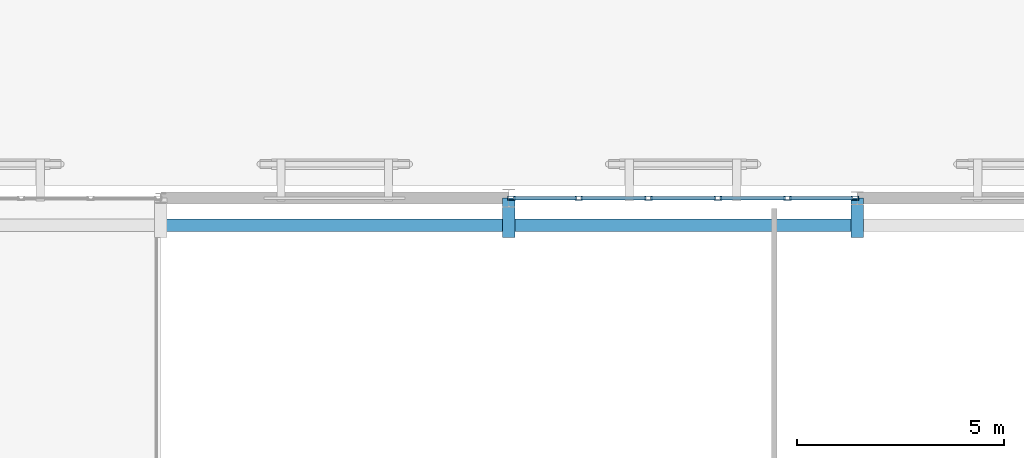
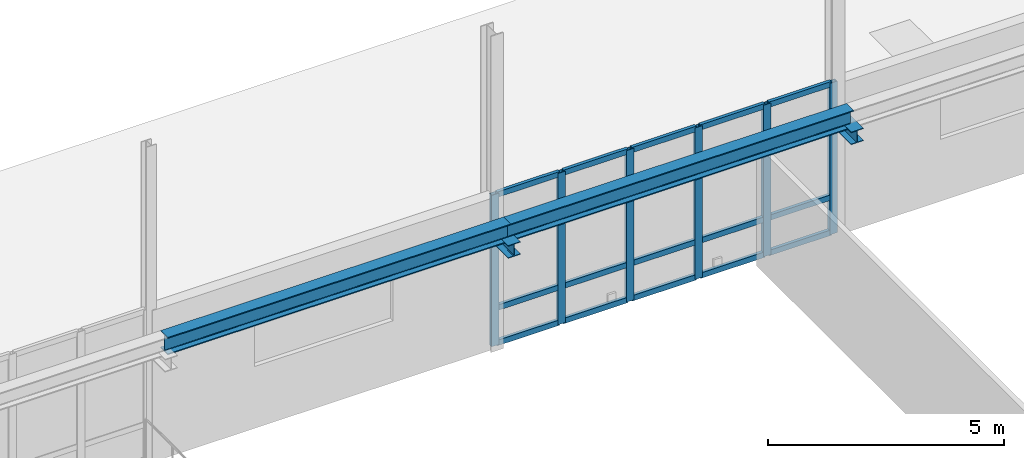
# One storey, part 83 of 170: 21 members, 4 beams, 1 element without a shape of its own.
"""IFC4 building model written with IfcOpenShell, lengths in metres."""

from ifc_helpers import new_model, si_unit, direction, frame, origin, origin_2d, place, context, subcontext, project, spatial, hollow_rectangle, i_section, extrude, material, layer, layer_set, material_profile, profile_set, type_object, element, aggregate, save


model = new_model("IFC4")

# Units and contexts
model_context = context("Model", 3, precision=1e-05, world=origin(), true_north=direction((0.0, 1.0)))
body_context = subcontext(model_context, "Body", "Model", "MODEL_VIEW")
ifc_project = project(units=[si_unit("LENGTHUNIT", "METRE"), si_unit("AREAUNIT", "SQUARE_METRE"), si_unit("VOLUMEUNIT", "CUBIC_METRE"), si_unit("PLANEANGLEUNIT", "RADIAN"), si_unit("MASSUNIT", "GRAM", prefix="KILO")], contexts=[model_context])

# Site, building, storey
site_placement = place(None, origin())
site = spatial("IfcSite", under=ifc_project, at=site_placement, CompositionType="ELEMENT")
building_placement = place(site_placement, origin())
building = spatial("IfcBuilding", under=site, at=building_placement, Name="Mazaris Harbour Polytechnic", CompositionType="ELEMENT")
storey_placement = place(building_placement, frame((0.0, 0.0, 5.39990234375)))
storey = spatial("IfcBuildingStorey", under=building, at=storey_placement, Name="L01", CompositionType="ELEMENT", Elevation=5.39990234375)

# Beams
ifc_material_1 = material(Name="Steel S355", Category="steel")
ifc_material_profile_1 = material_profile(ifc_material_1, i_section(OverallWidth=0.300048828125, OverallDepth=0.449951171875, WebThickness=0.013916015625, FlangeThickness=0.02587890625, FilletRadius=0.027099609375, at=origin_2d()), Name="HEB 450")
ifc_profile_set_1 = profile_set([ifc_material_profile_1], Name="Steel S355")
beam_type_1 = type_object("IfcBeamType", Name="Crane Runway HEB450", PredefinedType="USERDEFINED", material=ifc_profile_set_1)
beam_1_placement = place(storey_placement, frame((62.39990234375, 107.35009765625, 3.400146484375), z_axis=(1.0, 0.0, 0.0), x_axis=(0.0, 1.0, 0.0)))
element("IfcBeam", 1, at=beam_1_placement, inside=storey, type_object=beam_type_1, Name="V1 10t Bridge Crane Runway 9", ObjectType="CRANE RUNWAY", PredefinedType="USERDEFINED", context=body_context, shape_type="SweptSolid", body=[
    extrude(i_section(OverallWidth=0.300048828125, OverallDepth=0.449951171875, WebThickness=0.013916015625, FlangeThickness=0.02587890625, FilletRadius=0.027099609375, at=origin_2d()), origin(), (0.0, 0.0, 1.0), 8.400146484375),
])
beam_2_placement = place(storey_placement, frame((70.800048828125, 107.35009765625, 3.400146484375), z_axis=(1.0, 0.0, 0.0), x_axis=(0.0, 1.0, 0.0)))
element("IfcBeam", 2, at=beam_2_placement, inside=storey, type_object=beam_type_1, Name="V1 10t Bridge Crane Runway 10", ObjectType="CRANE RUNWAY", PredefinedType="USERDEFINED", context=body_context, shape_type="SweptSolid", body=[
    extrude(i_section(OverallWidth=0.300048828125, OverallDepth=0.449951171875, WebThickness=0.013916015625, FlangeThickness=0.02587890625, FilletRadius=0.027099609375, at=origin_2d()), origin(), (0.0, 0.0, 1.0), 8.39990234375),
])

# Curtain wall, members
ifc_material_2 = material(Name="Anodised Bronze Aluminium and Low-E Glass", Category="aluminium")
ifc_layer = layer(ifc_material_2, 0.14990234375, Name="Anodised Bronze Aluminium and Low-E Glass")
ifc_layer_set = layer_set([ifc_layer], Name="Anodised Bronze Aluminium and Low-E Glass")
curtain_wall_type = type_object("IfcCurtainWallType", Name="Workshop Clerestory Curtain Wall", PredefinedType="NOTDEFINED", material=ifc_layer_set)
curtain_wall_placement = place(storey_placement, origin())
curtain_wall = element("IfcCurtainWall", 3, at=curtain_wall_placement, inside=storey, type_object=curtain_wall_type, Name="V1 L01 Curtain Wall 18", PredefinedType="NOTDEFINED")
ifc_material_3 = material(Name="Anodised Bronze Steel S355", Category="steel")
ifc_material_profile_2 = material_profile(ifc_material_3, hollow_rectangle(XDim=0.10009765625, YDim=0.179931640625, WallThickness=0.008056640625, at=origin_2d()), Name="RHS 100x180x8.0")
ifc_profile_set_2 = profile_set([ifc_material_profile_2], Name="Anodised Bronze Steel S355")
member_type_1 = type_object("IfcMemberType", Name="Curtain Mullion RHS100x180", PredefinedType="MULLION", material=ifc_profile_set_2)
member_1_placement = place(storey_placement, frame((70.85791015625, 108.0, 0.0), z_axis=(0.0, 0.0, 1.0), x_axis=(0.0, 1.0, 0.0)))
member_1 = element("IfcMember", 4, at=member_1_placement, type_object=member_type_1, Name="CW-04 mullion 1", PredefinedType="MULLION", context=body_context, shape_type="SweptSolid", body=[
    extrude(hollow_rectangle(XDim=0.10009765625, YDim=0.179931640625, WallThickness=0.008056640625, at=origin_2d()), origin(), (0.0, 0.0, 1.0), 3.920166015625),
])
member_2_placement = place(storey_placement, frame((72.48486328125, 108.0, 0.0), z_axis=(0.0, 0.0, 1.0), x_axis=(0.0, 1.0, 0.0)))
member_2 = element("IfcMember", 5, at=member_2_placement, type_object=member_type_1, Name="CW-04 mullion 2", PredefinedType="MULLION", context=body_context, shape_type="SweptSolid", body=[
    extrude(hollow_rectangle(XDim=0.10009765625, YDim=0.179931640625, WallThickness=0.008056640625, at=origin_2d()), origin(), (0.0, 0.0, 1.0), 3.920166015625),
])
member_3_placement = place(storey_placement, frame((74.16162109375, 108.0, 0.0), z_axis=(0.0, 0.0, 1.0), x_axis=(0.0, 1.0, 0.0)))
member_3 = element("IfcMember", 6, at=member_3_placement, type_object=member_type_1, Name="CW-04 mullion 3", PredefinedType="MULLION", context=body_context, shape_type="SweptSolid", body=[
    extrude(hollow_rectangle(XDim=0.10009765625, YDim=0.179931640625, WallThickness=0.008056640625, at=origin_2d()), origin(), (0.0, 0.0, 1.0), 3.920166015625),
])
member_4_placement = place(storey_placement, frame((75.83837890625, 108.0, 0.0), z_axis=(0.0, 0.0, 1.0), x_axis=(0.0, 1.0, 0.0)))
member_4 = element("IfcMember", 7, at=member_4_placement, type_object=member_type_1, Name="CW-04 mullion 4", PredefinedType="MULLION", context=body_context, shape_type="SweptSolid", body=[
    extrude(hollow_rectangle(XDim=0.10009765625, YDim=0.179931640625, WallThickness=0.008056640625, at=origin_2d()), origin(), (0.0, 0.0, 1.0), 3.920166015625),
])
member_5_placement = place(storey_placement, frame((77.51513671875, 108.0, 0.0), z_axis=(0.0, 0.0, 1.0), x_axis=(0.0, 1.0, 0.0)))
member_5 = element("IfcMember", 8, at=member_5_placement, type_object=member_type_1, Name="CW-04 mullion 5", PredefinedType="MULLION", context=body_context, shape_type="SweptSolid", body=[
    extrude(hollow_rectangle(XDim=0.10009765625, YDim=0.179931640625, WallThickness=0.008056640625, at=origin_2d()), origin(), (0.0, 0.0, 1.0), 3.920166015625),
])
member_6_placement = place(storey_placement, frame((79.14208984375, 108.0, 0.0), z_axis=(0.0, 0.0, 1.0), x_axis=(0.0, 1.0, 0.0)))
member_6 = element("IfcMember", 9, at=member_6_placement, type_object=member_type_1, Name="CW-04 mullion 6", PredefinedType="MULLION", context=body_context, shape_type="SweptSolid", body=[
    extrude(hollow_rectangle(XDim=0.10009765625, YDim=0.179931640625, WallThickness=0.008056640625, at=origin_2d()), origin(), (0.0, 0.0, 1.0), 3.920166015625),
])
ifc_material_4 = material(Name="Anodised Bronze Steel S355", Category="steel")
ifc_material_profile_3 = material_profile(ifc_material_4, hollow_rectangle(XDim=0.080078125, YDim=0.139892578125, WallThickness=0.00634765625, at=origin_2d()), Name="RHS 80x140x6.3")
ifc_profile_set_3 = profile_set([ifc_material_profile_3], Name="Anodised Bronze Steel S355")
member_type_2 = type_object("IfcMemberType", Name="Curtain Transom RHS80x140", PredefinedType="USERDEFINED", material=ifc_profile_set_3)
member_7_placement = place(storey_placement, frame((70.907958984375, 108.0, 0.0400390625), z_axis=(1.0, 0.0, 0.0), x_axis=(0.0, 1.0, 0.0)))
member_7 = element("IfcMember", 10, at=member_7_placement, type_object=member_type_2, Name="CW-04 transom 1.1", ObjectType="TRANSOM", PredefinedType="USERDEFINED", context=body_context, shape_type="SweptSolid", body=[
    extrude(hollow_rectangle(XDim=0.080078125, YDim=0.139892578125, WallThickness=0.00634765625, at=origin_2d()), origin(), (0.0, 0.0, 1.0), 1.52685546875),
])
member_8_placement = place(storey_placement, frame((70.907958984375, 108.0, 0.9501953125), z_axis=(1.0, 0.0, 0.0), x_axis=(0.0, 1.0, 0.0)))
member_8 = element("IfcMember", 11, at=member_8_placement, type_object=member_type_2, Name="CW-04 transom 1.2", ObjectType="TRANSOM", PredefinedType="USERDEFINED", context=body_context, shape_type="SweptSolid", body=[
    extrude(hollow_rectangle(XDim=0.080078125, YDim=0.139892578125, WallThickness=0.00634765625, at=origin_2d()), origin(), (0.0, 0.0, 1.0), 1.52685546875),
])
member_9_placement = place(storey_placement, frame((70.907958984375, 108.0, 3.880126953125), z_axis=(1.0, 0.0, 0.0), x_axis=(0.0, 1.0, 0.0)))
member_9 = element("IfcMember", 12, at=member_9_placement, type_object=member_type_2, Name="CW-04 transom 1.3", ObjectType="TRANSOM", PredefinedType="USERDEFINED", context=body_context, shape_type="SweptSolid", body=[
    extrude(hollow_rectangle(XDim=0.080078125, YDim=0.139892578125, WallThickness=0.00634765625, at=origin_2d()), origin(), (0.0, 0.0, 1.0), 1.52685546875),
])
member_10_placement = place(storey_placement, frame((72.534912109375, 108.0, 0.0400390625), z_axis=(1.0, 0.0, 0.0), x_axis=(0.0, 1.0, 0.0)))
member_10 = element("IfcMember", 13, at=member_10_placement, type_object=member_type_2, Name="CW-04 transom 2.1", ObjectType="TRANSOM", PredefinedType="USERDEFINED", context=body_context, shape_type="SweptSolid", body=[
    extrude(hollow_rectangle(XDim=0.080078125, YDim=0.139892578125, WallThickness=0.00634765625, at=origin_2d()), origin(), (0.0, 0.0, 1.0), 1.57666015625),
])
member_11_placement = place(storey_placement, frame((72.534912109375, 108.0, 0.9501953125), z_axis=(1.0, 0.0, 0.0), x_axis=(0.0, 1.0, 0.0)))
member_11 = element("IfcMember", 14, at=member_11_placement, type_object=member_type_2, Name="CW-04 transom 2.2", ObjectType="TRANSOM", PredefinedType="USERDEFINED", context=body_context, shape_type="SweptSolid", body=[
    extrude(hollow_rectangle(XDim=0.080078125, YDim=0.139892578125, WallThickness=0.00634765625, at=origin_2d()), origin(), (0.0, 0.0, 1.0), 1.57666015625),
])
member_12_placement = place(storey_placement, frame((72.534912109375, 108.0, 3.880126953125), z_axis=(1.0, 0.0, 0.0), x_axis=(0.0, 1.0, 0.0)))
member_12 = element("IfcMember", 15, at=member_12_placement, type_object=member_type_2, Name="CW-04 transom 2.3", ObjectType="TRANSOM", PredefinedType="USERDEFINED", context=body_context, shape_type="SweptSolid", body=[
    extrude(hollow_rectangle(XDim=0.080078125, YDim=0.139892578125, WallThickness=0.00634765625, at=origin_2d()), origin(), (0.0, 0.0, 1.0), 1.57666015625),
])
member_13_placement = place(storey_placement, frame((74.211669921875, 108.0, 0.0400390625), z_axis=(1.0, 0.0, 0.0), x_axis=(0.0, 1.0, 0.0)))
member_13 = element("IfcMember", 16, at=member_13_placement, type_object=member_type_2, Name="CW-04 transom 3.1", ObjectType="TRANSOM", PredefinedType="USERDEFINED", context=body_context, shape_type="SweptSolid", body=[
    extrude(hollow_rectangle(XDim=0.080078125, YDim=0.139892578125, WallThickness=0.00634765625, at=origin_2d()), origin(), (0.0, 0.0, 1.0), 1.57666015625),
])
member_14_placement = place(storey_placement, frame((74.211669921875, 108.0, 0.9501953125), z_axis=(1.0, 0.0, 0.0), x_axis=(0.0, 1.0, 0.0)))
member_14 = element("IfcMember", 17, at=member_14_placement, type_object=member_type_2, Name="CW-04 transom 3.2", ObjectType="TRANSOM", PredefinedType="USERDEFINED", context=body_context, shape_type="SweptSolid", body=[
    extrude(hollow_rectangle(XDim=0.080078125, YDim=0.139892578125, WallThickness=0.00634765625, at=origin_2d()), origin(), (0.0, 0.0, 1.0), 1.57666015625),
])
member_15_placement = place(storey_placement, frame((74.211669921875, 108.0, 3.880126953125), z_axis=(1.0, 0.0, 0.0), x_axis=(0.0, 1.0, 0.0)))
member_15 = element("IfcMember", 18, at=member_15_placement, type_object=member_type_2, Name="CW-04 transom 3.3", ObjectType="TRANSOM", PredefinedType="USERDEFINED", context=body_context, shape_type="SweptSolid", body=[
    extrude(hollow_rectangle(XDim=0.080078125, YDim=0.139892578125, WallThickness=0.00634765625, at=origin_2d()), origin(), (0.0, 0.0, 1.0), 1.57666015625),
])
member_16_placement = place(storey_placement, frame((75.888427734375, 108.0, 0.0400390625), z_axis=(1.0, 0.0, 0.0), x_axis=(0.0, 1.0, 0.0)))
member_16 = element("IfcMember", 19, at=member_16_placement, type_object=member_type_2, Name="CW-04 transom 4.1", ObjectType="TRANSOM", PredefinedType="USERDEFINED", context=body_context, shape_type="SweptSolid", body=[
    extrude(hollow_rectangle(XDim=0.080078125, YDim=0.139892578125, WallThickness=0.00634765625, at=origin_2d()), origin(), (0.0, 0.0, 1.0), 1.57666015625),
])
member_17_placement = place(storey_placement, frame((75.888427734375, 108.0, 0.9501953125), z_axis=(1.0, 0.0, 0.0), x_axis=(0.0, 1.0, 0.0)))
member_17 = element("IfcMember", 20, at=member_17_placement, type_object=member_type_2, Name="CW-04 transom 4.2", ObjectType="TRANSOM", PredefinedType="USERDEFINED", context=body_context, shape_type="SweptSolid", body=[
    extrude(hollow_rectangle(XDim=0.080078125, YDim=0.139892578125, WallThickness=0.00634765625, at=origin_2d()), origin(), (0.0, 0.0, 1.0), 1.57666015625),
])
member_18_placement = place(storey_placement, frame((75.888427734375, 108.0, 3.880126953125), z_axis=(1.0, 0.0, 0.0), x_axis=(0.0, 1.0, 0.0)))
member_18 = element("IfcMember", 21, at=member_18_placement, type_object=member_type_2, Name="CW-04 transom 4.3", ObjectType="TRANSOM", PredefinedType="USERDEFINED", context=body_context, shape_type="SweptSolid", body=[
    extrude(hollow_rectangle(XDim=0.080078125, YDim=0.139892578125, WallThickness=0.00634765625, at=origin_2d()), origin(), (0.0, 0.0, 1.0), 1.57666015625),
])
member_19_placement = place(storey_placement, frame((77.565185546875, 108.0, 0.0400390625), z_axis=(1.0, 0.0, 0.0), x_axis=(0.0, 1.0, 0.0)))
member_19 = element("IfcMember", 22, at=member_19_placement, type_object=member_type_2, Name="CW-04 transom 5.1", ObjectType="TRANSOM", PredefinedType="USERDEFINED", context=body_context, shape_type="SweptSolid", body=[
    extrude(hollow_rectangle(XDim=0.080078125, YDim=0.139892578125, WallThickness=0.00634765625, at=origin_2d()), origin(), (0.0, 0.0, 1.0), 1.52685546875),
])
member_20_placement = place(storey_placement, frame((77.565185546875, 108.0, 0.9501953125), z_axis=(1.0, 0.0, 0.0), x_axis=(0.0, 1.0, 0.0)))
member_20 = element("IfcMember", 23, at=member_20_placement, type_object=member_type_2, Name="CW-04 transom 5.2", ObjectType="TRANSOM", PredefinedType="USERDEFINED", context=body_context, shape_type="SweptSolid", body=[
    extrude(hollow_rectangle(XDim=0.080078125, YDim=0.139892578125, WallThickness=0.00634765625, at=origin_2d()), origin(), (0.0, 0.0, 1.0), 1.52685546875),
])
member_21_placement = place(storey_placement, frame((77.565185546875, 108.0, 3.880126953125), z_axis=(1.0, 0.0, 0.0), x_axis=(0.0, 1.0, 0.0)))
member_21 = element("IfcMember", 24, at=member_21_placement, type_object=member_type_2, Name="CW-04 transom 5.3", ObjectType="TRANSOM", PredefinedType="USERDEFINED", context=body_context, shape_type="SweptSolid", body=[
    extrude(hollow_rectangle(XDim=0.080078125, YDim=0.139892578125, WallThickness=0.00634765625, at=origin_2d()), origin(), (0.0, 0.0, 1.0), 1.52685546875),
])
aggregate(curtain_wall, [member_1, member_2, member_3, member_4, member_5, member_6, member_7, member_8, member_9, member_10, member_11, member_12, member_13, member_14, member_15, member_16, member_17, member_18, member_19, member_20, member_21])

# Beams
ifc_material_5 = material(Name="Steel S355", Category="steel")
ifc_material_profile_4 = material_profile(ifc_material_5, i_section(OverallWidth=0.300048828125, OverallDepth=0.330078125, WebThickness=0.009521484375, FlangeThickness=0.0166015625, FilletRadius=0.027099609375, at=origin_2d()), Name="HEA 340")
ifc_profile_set_4 = profile_set([ifc_material_profile_4], Name="Steel S355")
beam_type_2 = type_object("IfcBeamType", Name="Steel Beam HEA340", PredefinedType="BEAM", material=ifc_profile_set_4)
for number, where, z_axis, x_axis, name in (
    (25, (70.800048828125, 108.0, 3.0400390625), (0.0, -1.0, 0.0), (1.0, 0.0, 0.0), "V1 Crane Corbel Bracket 3565"),
    (26, (79.199951171875, 108.0, 3.0400390625), (0.0, -1.0, 0.0), (1.0, 0.0, 0.0), "V1 Crane Corbel Bracket 3566"),
):
    element("IfcBeam", number, at=place(storey_placement, frame(where, z_axis=z_axis, x_axis=x_axis)), inside=storey, type_object=beam_type_2, Name=name, PredefinedType="BEAM", context=body_context, shape_type="SweptSolid", body=[
        extrude(i_section(OverallWidth=0.300048828125, OverallDepth=0.330078125, WebThickness=0.009521484375, FlangeThickness=0.0166015625, FilletRadius=0.027099609375, at=origin_2d()), origin(), (0.0, 0.0, 1.0), 0.949951171875),
    ])

save(model, "model.ifc")
